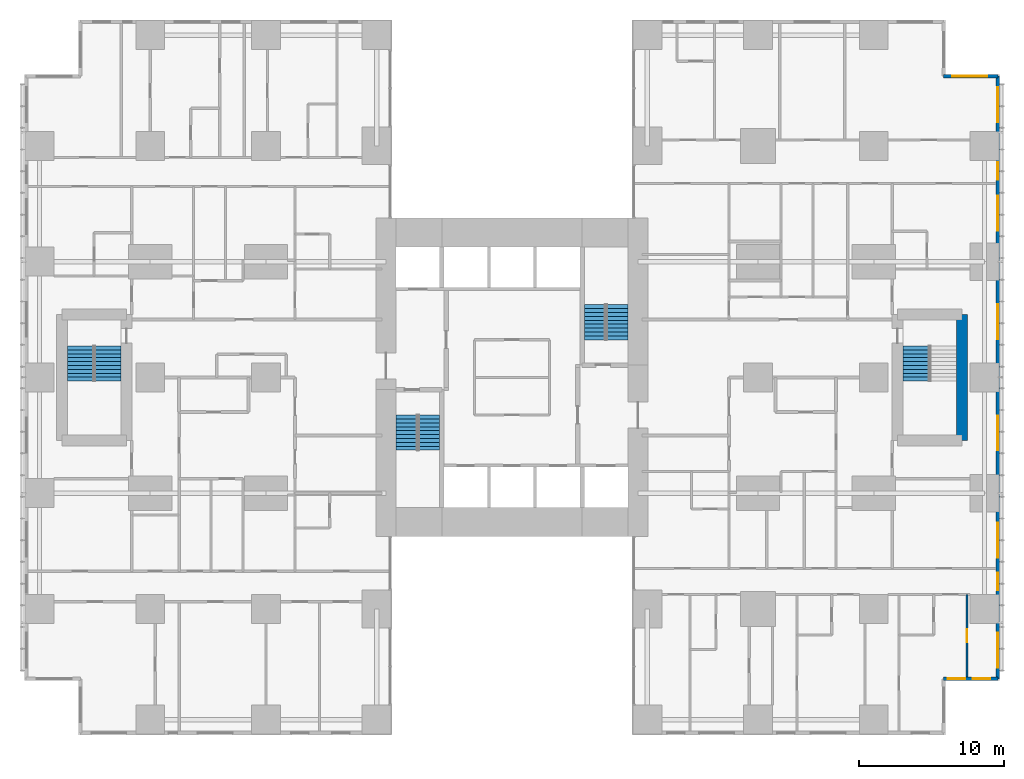
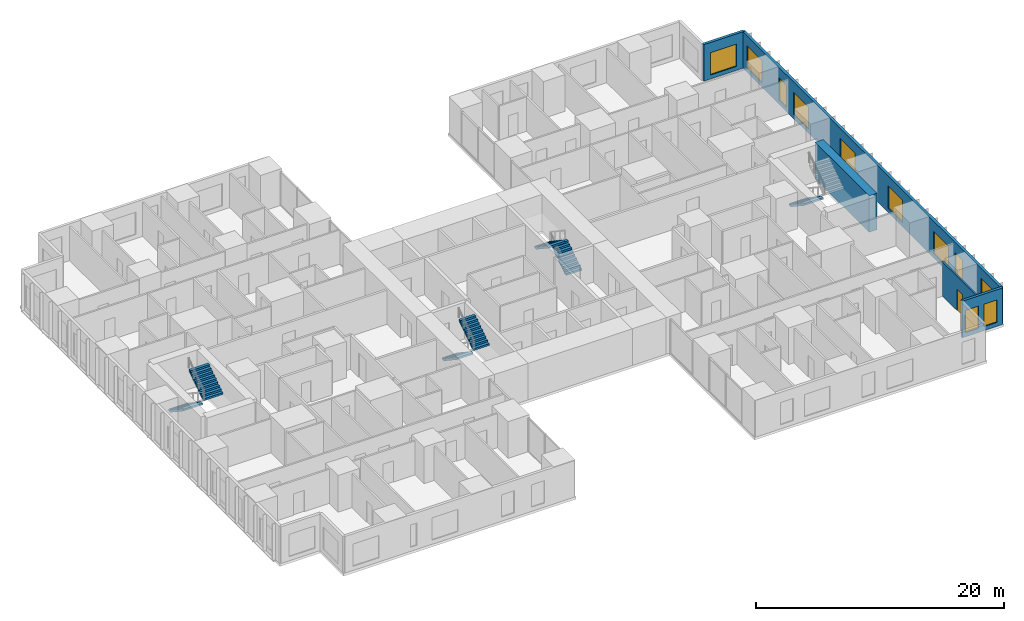
# One storey, part 19 of 21: 11 windows, 7 stair flights, 5 walls, 1 door, 12 openings, 4 elements without a shape of their own.
"""IFC4 building model written with IfcOpenShell, lengths in metres."""

import ifcopenshell
import ifcopenshell.guid

model = None  # the IFC model being written
_history = None  # IfcOwnerHistory: only IFC2X3 demands one
_inside = {}  # id of a spatial element -> (the spatial element, [elements in it])
_under = {}  # id of a project, library or spatial element -> (it, [spatial elements below it])
_declared = {}  # id of a project -> (the project, [libraries it declares])
_typed = {}  # id of a type object -> (the type object, [elements of that type])
_made_of = {}  # id of a material, layer set ... -> (it, [elements and type objects made of it])


def new_model(schema):
    """Start an empty IFC model of exactly this schema.

    Asked for "IFC4X3", IfcOpenShell would pick the latest addendum, in which some entities
    have other attributes; the version numbers below select the first issue.
    IFC2X3 requires an IfcOwnerHistory on every rooted entity: one is made here for all.
    """
    global model, _history
    if schema == "IFC4X3":
        model = ifcopenshell.file(schema_version=(4, 3, 0, 0))
    else:
        model = ifcopenshell.file(schema=schema)
    _inside.clear()
    _under.clear()
    _declared.clear()
    _typed.clear()
    _made_of.clear()
    _history = None
    if model.schema == "IFC2X3":
        org = make("IfcOrganization", Name="unknown")
        user = make(
            "IfcPersonAndOrganization",
            ThePerson=make("IfcPerson", FamilyName="unknown"),
            TheOrganization=org,
        )
        app = make(
            "IfcApplication",
            ApplicationDeveloper=org,
            Version="unknown",
            ApplicationFullName="unknown",
            ApplicationIdentifier="unknown",
        )
        _history = make(
            "IfcOwnerHistory",
            OwningUser=user,
            OwningApplication=app,
            ChangeAction="ADDED",
            CreationDate=0,
        )
    return model


def make(cls, **values):
    """One entity of the class cls with the attributes given. An attribute that is None is left unset."""
    return model.create_entity(
        cls, **{name: value for name, value in values.items() if value is not None}
    )


def rooted(cls, **values):
    """An entity with a GlobalId (a new one), such as an element, a storey or a relation."""
    return make(cls, GlobalId=ifcopenshell.guid.new(), OwnerHistory=_history, **values)


def si_unit(unit_type, name, prefix=None):
    """IfcSIUnit, for example si_unit("LENGTHUNIT", "METRE", prefix="MILLI")."""
    return make("IfcSIUnit", UnitType=unit_type, Prefix=prefix, Name=name)


def assignment(units):
    """IfcUnitAssignment: the units of a project."""
    return None if units is None else make("IfcUnitAssignment", Units=units)


def point(xyz):
    """IfcCartesianPoint."""
    return None if xyz is None else make("IfcCartesianPoint", Coordinates=xyz)


def direction(xyz):
    """IfcDirection."""
    return None if xyz is None else make("IfcDirection", DirectionRatios=xyz)


def frame(location, z_axis=None, x_axis=None):
    """IfcAxis2Placement3D, a coordinate frame: its origin and axes. An axis left out is left unset."""
    return make(
        "IfcAxis2Placement3D",
        Location=point(location),
        Axis=direction(z_axis),
        RefDirection=direction(x_axis),
    )


def frame_2d(location, x_axis=None):
    """IfcAxis2Placement2D, a coordinate frame in the plane: its origin and x axis."""
    return make(
        "IfcAxis2Placement2D", Location=point(location), RefDirection=direction(x_axis)
    )


def origin():
    """The frame at (0, 0, 0) with its axes left unset."""
    return frame((0.0, 0.0, 0.0))


def place(relative_to, where):
    """IfcLocalPlacement: puts the frame where relative to a parent placement (None: the world)."""
    return make(
        "IfcLocalPlacement", PlacementRelTo=relative_to, RelativePlacement=where
    )


def context(
    kind, dimensions, precision=None, world=None, true_north=None, identifier=None
):
    """IfcGeometricRepresentationContext, for example the 3D "Model" context."""
    return make(
        "IfcGeometricRepresentationContext",
        ContextIdentifier=identifier,
        ContextType=kind,
        CoordinateSpaceDimension=dimensions,
        Precision=precision,
        WorldCoordinateSystem=world,
        TrueNorth=true_north,
    )


def subcontext(parent, identifier, kind, view, scale=None):
    """IfcGeometricRepresentationSubContext, for example "Body" below "Model"."""
    return make(
        "IfcGeometricRepresentationSubContext",
        ContextIdentifier=identifier,
        ContextType=kind,
        ParentContext=parent,
        TargetScale=scale,
        TargetView=view,
    )


def project(units=None, contexts=None):
    """IfcProject with its units and contexts."""
    return rooted(
        "IfcProject",
        Name="project",
        RepresentationContexts=contexts,
        UnitsInContext=assignment(units),
    )


def spatial(cls, under=None, at=None, **own):
    """A site, building, storey or space (cls), placed at a placement, below another one or the project."""
    s = rooted(cls, ObjectPlacement=at, **own)
    if under is not None:
        _under.setdefault(under.id(), (under, []))[1].append(s)
    return s


def polyline(points):
    """IfcPolyline through the points."""
    return make("IfcPolyline", Points=[point(p) for p in points])


def profile(cls, at=None, kind="AREA", **sizes):
    """A parametric profile (cls). Its sizes go by their IFC names, for example OverallWidth=200.0."""
    return make(cls, ProfileType=kind, Position=at, **sizes)


def rectangle(**sizes):
    """IfcRectangleProfileDef."""
    return profile("IfcRectangleProfileDef", **sizes)


def outline(outer, holes=None, kind="AREA"):
    """IfcArbitraryClosedProfileDef: a profile drawn as a closed curve; with holes, ...WithVoids."""
    if holes is None:
        return make("IfcArbitraryClosedProfileDef", ProfileType=kind, OuterCurve=outer)
    return make(
        "IfcArbitraryProfileDefWithVoids",
        ProfileType=kind,
        OuterCurve=outer,
        InnerCurves=holes,
    )


def extrude(swept, where, along, depth):
    """IfcExtrudedAreaSolid: the profile swept, set in the frame where, extruded along a direction by depth."""
    return make(
        "IfcExtrudedAreaSolid",
        SweptArea=swept,
        Position=where,
        ExtrudedDirection=direction(along),
        Depth=depth,
    )


def shape(context_of_items, identifier, shape_type, items):
    """IfcShapeRepresentation: the items that make up one representation, for example the "Body"."""
    return make(
        "IfcShapeRepresentation",
        ContextOfItems=context_of_items,
        RepresentationIdentifier=identifier,
        RepresentationType=shape_type,
        Items=items,
    )


def material(Name=None, Category=None):
    """IfcMaterial."""
    return make("IfcMaterial", Name=Name, Category=Category)


def layer(
    of_material, thickness, ventilated=None, Name=None, Category=None, Priority=None
):
    """IfcMaterialLayer: one layer of a wall or slab, of a material (None: an air gap)."""
    return make(
        "IfcMaterialLayer",
        Material=of_material,
        LayerThickness=thickness,
        IsVentilated=ventilated,
        Name=Name,
        Category=Category,
        Priority=Priority,
    )


def layer_set(layers, Name=None):
    """IfcMaterialLayerSet."""
    return make("IfcMaterialLayerSet", MaterialLayers=layers, LayerSetName=Name)


def made_of(thing, what):
    """Note that an element or type object is made of a material, layer set ...; save() writes the relation."""
    if what is not None:
        _made_of.setdefault(what.id(), (what, []))[1].append(thing)
    return thing


def type_object(cls, material=None, **own):
    """A type object (cls), such as IfcWallType, which elements share."""
    return made_of(rooted(cls, **own), material)


def element(
    cls,
    number,
    at=None,
    inside=None,
    cuts=None,
    type_object=None,
    material=None,
    context=None,
    identifier="Body",
    shape_type=None,
    held_by="IfcProductDefinitionShape",
    body=None,
    shapes=None,
    **own,
):
    """One element of the class cls, such as IfcWall. Its Tag is "e" and its number.

    at: its placement. inside: the storey or other place that contains it. cuts: it is an
    opening in that element (IfcRelVoidsElement). A single representation is given by context,
    identifier, shape_type and body (its items); several are given by shapes. held_by: the class
    of the entity that holds the representations. save() writes the other relations.
    """
    e = rooted(cls, Tag="e%d" % number, ObjectPlacement=at, **own)
    if body is not None:
        shapes = [shape(context, identifier, shape_type, body)]
    if shapes is not None:
        e.Representation = make(held_by, Representations=shapes)
    if inside is not None:
        _inside.setdefault(inside.id(), (inside, []))[1].append(e)
    if cuts is not None:
        rooted(
            "IfcRelVoidsElement", RelatingBuildingElement=cuts, RelatedOpeningElement=e
        )
    if type_object is not None:
        _typed.setdefault(type_object.id(), (type_object, []))[1].append(e)
    return made_of(e, material)


def fill(opening, filler):
    """IfcRelFillsElement: the door or window that sits in an opening."""
    return rooted(
        "IfcRelFillsElement",
        RelatingOpeningElement=opening,
        RelatedBuildingElement=filler,
    )


def aggregate(whole, parts):
    """IfcRelAggregates: a whole, such as a stair, and the parts it consists of."""
    return rooted("IfcRelAggregates", RelatingObject=whole, RelatedObjects=parts)


def save(model, path):
    """Write the relations noted so far, then the file.

    IfcRelAggregates (storeys below a building ...), IfcRelContainedInSpatialStructure (elements
    in a storey), IfcRelDefinesByType, IfcRelAssociatesMaterial and IfcRelDeclares: one each for
    every whole, place, type object, material and project.
    """
    for whole, parts in _under.values():
        aggregate(whole, parts)
    for where, things in _inside.values():
        rooted(
            "IfcRelContainedInSpatialStructure",
            RelatedElements=things,
            RelatingStructure=where,
        )
    for kind, things in _typed.values():
        rooted("IfcRelDefinesByType", RelatedObjects=things, RelatingType=kind)
    for what, things in _made_of.values():
        rooted("IfcRelAssociatesMaterial", RelatedObjects=things, RelatingMaterial=what)
    for by, libraries in _declared.values():
        rooted("IfcRelDeclares", RelatingContext=by, RelatedDefinitions=libraries)
    model.write(path)


model = new_model("IFC4")

# Units and contexts
model_context = context("Model", 3, precision=1e-05, world=origin(), true_north=direction((0.0, 1.0)))
body_context = subcontext(model_context, "Body", "Model", "MODEL_VIEW")
ifc_project = project(units=[si_unit("LENGTHUNIT", "METRE"), si_unit("AREAUNIT", "SQUARE_METRE"), si_unit("VOLUMEUNIT", "CUBIC_METRE"), si_unit("PLANEANGLEUNIT", "RADIAN"), si_unit("MASSUNIT", "GRAM", prefix="KILO")], contexts=[model_context])

# Site, building, storey
site_placement = place(None, origin())
site = spatial("IfcSite", under=ifc_project, at=site_placement, CompositionType="ELEMENT")
building_placement = place(site_placement, origin())
building = spatial("IfcBuilding", under=site, at=building_placement, Name="Cleftline Residences", CompositionType="ELEMENT")
storey_placement = place(building_placement, frame((0.0, 0.0, 128.60009765625)))
storey = spatial("IfcBuildingStorey", under=building, at=storey_placement, Name="L33", CompositionType="ELEMENT", Elevation=128.60009765625)

# Wall, openings, windows
ifc_material_1 = material(Name="Rendered reinforced concrete blockwork", Category="masonry")
ifc_layer_1 = layer(ifc_material_1, 0.25)
ifc_layer_set_1 = layer_set([ifc_layer_1], Name="EXTERNAL WALL 250")
wall_type_1 = type_object("IfcWallType", Name="EXTERNAL WALL 250", PredefinedType="SOLIDWALL", material=ifc_layer_set_1)
wall_1_placement = place(storey_placement, frame((62.824951171875, 3.175048828125, 0.0), z_axis=(0.0, 0.0, 1.0), x_axis=(1.0, 0.0, 0.0)))
wall_1 = element("IfcWall", 1, at=wall_1_placement, inside=storey, type_object=wall_type_1, Name="External wall", PredefinedType="SOLIDWALL", context=body_context, shape_type="SweptSolid", body=[
    extrude(rectangle(XDim=3.75, YDim=0.25, at=frame_2d((1.875, 0.0))), origin(), (0.0, 0.0, 1.0), 3.599853515625),
])
opening_1_placement = place(wall_1_placement, frame((0.28759765625, 0.0, 0.39990234375)))
opening_1 = element("IfcOpeningElement", 2, at=opening_1_placement, cuts=wall_1, Name="Opening W11", PredefinedType="OPENING", context=body_context, shape_type="SweptSolid", body=[
    extrude(rectangle(XDim=1.199951171875, YDim=2.199951171875, at=frame_2d((0.60009765625, 1.10009765625))), frame((0.0, 0.135009765625, 0.0), z_axis=(0.0, -1.0, 0.0), x_axis=(1.0, 0.0, 0.0)), (0.0, 0.0, 1.0), 0.27001953125),
])
opening_2_placement = place(wall_1_placement, frame((2.02490234375, 0.0, 0.39990234375)))
opening_2 = element("IfcOpeningElement", 3, at=opening_2_placement, cuts=wall_1, Name="Opening W11", PredefinedType="OPENING", context=body_context, shape_type="SweptSolid", body=[
    extrude(rectangle(XDim=1.199951171875, YDim=2.199951171875, at=frame_2d((0.60009765625, 1.10009765625))), frame((0.0, 0.135009765625, 0.0), z_axis=(0.0, -1.0, 0.0), x_axis=(1.0, 0.0, 0.0)), (0.0, 0.0, 1.0), 0.27001953125),
])
ifc_material_2 = material(Name="Aluminium frame, clear double glazing", Category="aluminium")
window_type_1 = type_object("IfcWindowType", Name="WINDOW 1200X2200", PartitioningType="DOUBLE_PANEL_VERTICAL", PredefinedType="WINDOW", material=ifc_material_2)
window_1_placement = place(opening_1_placement, origin())
window_1 = element("IfcWindow", 4, at=window_1_placement, inside=storey, type_object=window_type_1, Name="Window", OverallHeight=2.199951171875, OverallWidth=1.199951171875, PartitioningType="SINGLE_PANEL", PredefinedType="WINDOW", context=body_context, shape_type="SweptSolid", body=[
    extrude(rectangle(XDim=1.199951171875, YDim=2.199951171875, at=frame_2d((0.60009765625, 1.10009765625))), frame((0.0, 0.030029296875, 0.0), z_axis=(0.0, -1.0, 0.0), x_axis=(1.0, 0.0, 0.0)), (0.0, 0.0, 1.0), 0.06005859375),
])
fill(opening_1, window_1)
window_2_placement = place(opening_2_placement, origin())
window_2 = element("IfcWindow", 5, at=window_2_placement, inside=storey, type_object=window_type_1, Name="Window", OverallHeight=2.199951171875, OverallWidth=1.199951171875, PartitioningType="SINGLE_PANEL", PredefinedType="WINDOW", context=body_context, shape_type="SweptSolid", body=[
    extrude(rectangle(XDim=1.199951171875, YDim=2.199951171875, at=frame_2d((0.60009765625, 1.10009765625))), frame((0.0, 0.030029296875, 0.0), z_axis=(0.0, -1.0, 0.0), x_axis=(1.0, 0.0, 0.0)), (0.0, 0.0, 1.0), 0.06005859375),
])
fill(opening_2, window_2)

wall_2_placement = place(storey_placement, frame((66.574951171875, 3.175048828125, 0.0), z_axis=(0.0, 0.0, 1.0), x_axis=(0.0, 1.0, 0.0)))
wall_2 = element("IfcWall", 6, at=wall_2_placement, inside=storey, type_object=wall_type_1, Name="External wall", PredefinedType="SOLIDWALL", context=body_context, shape_type="SweptSolid", body=[
    extrude(rectangle(XDim=41.64990234375, YDim=0.25, at=frame_2d((20.824951171875, 0.0))), origin(), (0.0, 0.0, 1.0), 3.599853515625),
])
opening_3_placement = place(wall_2_placement, frame((0.77490234375, 0.0, 0.39990234375)))
opening_3 = element("IfcOpeningElement", 7, at=opening_3_placement, cuts=wall_2, Name="Opening W12", PredefinedType="OPENING", context=body_context, shape_type="SweptSolid", body=[
    extrude(rectangle(XDim=2.39990234375, YDim=2.199951171875, at=frame_2d((1.199951171875, 1.10009765625))), frame((0.0, 0.135009765625, 0.0), z_axis=(0.0, -1.0, 0.0), x_axis=(1.0, 0.0, 0.0)), (0.0, 0.0, 1.0), 0.27001953125),
])
opening_4_placement = place(wall_2_placement, frame((6.125, 0.0, 0.39990234375)))
opening_4 = element("IfcOpeningElement", 8, at=opening_4_placement, cuts=wall_2, Name="Opening W11", PredefinedType="OPENING", context=body_context, shape_type="SweptSolid", body=[
    extrude(rectangle(XDim=1.199951171875, YDim=2.199951171875, at=frame_2d((0.60009765625, 1.10009765625))), frame((0.0, 0.135009765625, 0.0), z_axis=(0.0, -1.0, 0.0), x_axis=(1.0, 0.0, 0.0)), (0.0, 0.0, 1.0), 0.27001953125),
])
opening_5_placement = place(wall_2_placement, frame((8.375, 0.0, 0.39990234375)))
opening_5 = element("IfcOpeningElement", 9, at=opening_5_placement, cuts=wall_2, Name="Opening W12", PredefinedType="OPENING", context=body_context, shape_type="SweptSolid", body=[
    extrude(rectangle(XDim=2.39990234375, YDim=2.199951171875, at=frame_2d((1.199951171875, 1.10009765625))), frame((0.0, 0.135009765625, 0.0), z_axis=(0.0, -1.0, 0.0), x_axis=(1.0, 0.0, 0.0)), (0.0, 0.0, 1.0), 0.27001953125),
])
opening_6_placement = place(wall_2_placement, frame((15.77490234375, 0.0, 0.39990234375)))
opening_6 = element("IfcOpeningElement", 10, at=opening_6_placement, cuts=wall_2, Name="Opening W12", PredefinedType="OPENING", context=body_context, shape_type="SweptSolid", body=[
    extrude(rectangle(XDim=2.39990234375, YDim=2.199951171875, at=frame_2d((1.199951171875, 1.10009765625))), frame((0.0, 0.135009765625, 0.0), z_axis=(0.0, -1.0, 0.0), x_axis=(1.0, 0.0, 0.0)), (0.0, 0.0, 1.0), 0.27001953125),
])
opening_7_placement = place(wall_2_placement, frame((23.47509765625, 0.0, 0.39990234375)))
opening_7 = element("IfcOpeningElement", 11, at=opening_7_placement, cuts=wall_2, Name="Opening W12", PredefinedType="OPENING", context=body_context, shape_type="SweptSolid", body=[
    extrude(rectangle(XDim=2.39990234375, YDim=2.199951171875, at=frame_2d((1.199951171875, 1.10009765625))), frame((0.0, 0.135009765625, 0.0), z_axis=(0.0, -1.0, 0.0), x_axis=(1.0, 0.0, 0.0)), (0.0, 0.0, 1.0), 0.27001953125),
])
opening_8_placement = place(wall_2_placement, frame((30.97509765625, 0.0, 0.39990234375)))
opening_8 = element("IfcOpeningElement", 12, at=opening_8_placement, cuts=wall_2, Name="Opening W12", PredefinedType="OPENING", context=body_context, shape_type="SweptSolid", body=[
    extrude(rectangle(XDim=2.39990234375, YDim=2.199951171875, at=frame_2d((1.199951171875, 1.10009765625))), frame((0.0, 0.135009765625, 0.0), z_axis=(0.0, -1.0, 0.0), x_axis=(1.0, 0.0, 0.0)), (0.0, 0.0, 1.0), 0.27001953125),
])
opening_9_placement = place(wall_2_placement, frame((34.5, 0.0, 0.39990234375)))
opening_9 = element("IfcOpeningElement", 13, at=opening_9_placement, cuts=wall_2, Name="Opening W11", PredefinedType="OPENING", context=body_context, shape_type="SweptSolid", body=[
    extrude(rectangle(XDim=1.199951171875, YDim=2.199951171875, at=frame_2d((0.60009765625, 1.10009765625))), frame((0.0, 0.135009765625, 0.0), z_axis=(0.0, -1.0, 0.0), x_axis=(1.0, 0.0, 0.0)), (0.0, 0.0, 1.0), 0.27001953125),
])
opening_10_placement = place(wall_2_placement, frame((38.47509765625, 0.0, 0.39990234375)))
opening_10 = element("IfcOpeningElement", 14, at=opening_10_placement, cuts=wall_2, Name="Opening W12", PredefinedType="OPENING", context=body_context, shape_type="SweptSolid", body=[
    extrude(rectangle(XDim=2.39990234375, YDim=2.199951171875, at=frame_2d((1.199951171875, 1.10009765625))), frame((0.0, 0.135009765625, 0.0), z_axis=(0.0, -1.0, 0.0), x_axis=(1.0, 0.0, 0.0)), (0.0, 0.0, 1.0), 0.27001953125),
])
window_3_placement = place(opening_4_placement, origin())
window_3 = element("IfcWindow", 15, at=window_3_placement, inside=storey, type_object=window_type_1, Name="Window", OverallHeight=2.199951171875, OverallWidth=1.199951171875, PartitioningType="SINGLE_PANEL", PredefinedType="WINDOW", context=body_context, shape_type="SweptSolid", body=[
    extrude(rectangle(XDim=1.199951171875, YDim=2.199951171875, at=frame_2d((0.60009765625, 1.10009765625))), frame((0.0, 0.030029296875, 0.0), z_axis=(0.0, -1.0, 0.0), x_axis=(1.0, 0.0, 0.0)), (0.0, 0.0, 1.0), 0.06005859375),
])
fill(opening_4, window_3)
window_4_placement = place(opening_9_placement, origin())
window_4 = element("IfcWindow", 16, at=window_4_placement, inside=storey, type_object=window_type_1, Name="Window", OverallHeight=2.199951171875, OverallWidth=1.199951171875, PartitioningType="SINGLE_PANEL", PredefinedType="WINDOW", context=body_context, shape_type="SweptSolid", body=[
    extrude(rectangle(XDim=1.199951171875, YDim=2.199951171875, at=frame_2d((0.60009765625, 1.10009765625))), frame((0.0, 0.030029296875, 0.0), z_axis=(0.0, -1.0, 0.0), x_axis=(1.0, 0.0, 0.0)), (0.0, 0.0, 1.0), 0.06005859375),
])
fill(opening_9, window_4)
ifc_material_3 = material(Name="Aluminium frame, clear double glazing", Category="aluminium")
window_type_2 = type_object("IfcWindowType", Name="WINDOW 2400X2200", PartitioningType="DOUBLE_PANEL_VERTICAL", PredefinedType="WINDOW", material=ifc_material_3)
window_5_placement = place(opening_3_placement, origin())
window_5 = element("IfcWindow", 17, at=window_5_placement, inside=storey, type_object=window_type_2, Name="Window", OverallHeight=2.199951171875, OverallWidth=2.39990234375, PartitioningType="SINGLE_PANEL", PredefinedType="WINDOW", context=body_context, shape_type="SweptSolid", body=[
    extrude(rectangle(XDim=2.39990234375, YDim=2.199951171875, at=frame_2d((1.199951171875, 1.10009765625))), frame((0.0, 0.030029296875, 0.0), z_axis=(0.0, -1.0, 0.0), x_axis=(1.0, 0.0, 0.0)), (0.0, 0.0, 1.0), 0.06005859375),
])
fill(opening_3, window_5)
window_6_placement = place(opening_5_placement, origin())
window_6 = element("IfcWindow", 18, at=window_6_placement, inside=storey, type_object=window_type_2, Name="Window", OverallHeight=2.199951171875, OverallWidth=2.39990234375, PartitioningType="SINGLE_PANEL", PredefinedType="WINDOW", context=body_context, shape_type="SweptSolid", body=[
    extrude(rectangle(XDim=2.39990234375, YDim=2.199951171875, at=frame_2d((1.199951171875, 1.10009765625))), frame((0.0, 0.030029296875, 0.0), z_axis=(0.0, -1.0, 0.0), x_axis=(1.0, 0.0, 0.0)), (0.0, 0.0, 1.0), 0.06005859375),
])
fill(opening_5, window_6)
window_7_placement = place(opening_6_placement, origin())
window_7 = element("IfcWindow", 19, at=window_7_placement, inside=storey, type_object=window_type_2, Name="Window", OverallHeight=2.199951171875, OverallWidth=2.39990234375, PartitioningType="SINGLE_PANEL", PredefinedType="WINDOW", context=body_context, shape_type="SweptSolid", body=[
    extrude(rectangle(XDim=2.39990234375, YDim=2.199951171875, at=frame_2d((1.199951171875, 1.10009765625))), frame((0.0, 0.030029296875, 0.0), z_axis=(0.0, -1.0, 0.0), x_axis=(1.0, 0.0, 0.0)), (0.0, 0.0, 1.0), 0.06005859375),
])
fill(opening_6, window_7)
window_8_placement = place(opening_7_placement, origin())
window_8 = element("IfcWindow", 20, at=window_8_placement, inside=storey, type_object=window_type_2, Name="Window", OverallHeight=2.199951171875, OverallWidth=2.39990234375, PartitioningType="SINGLE_PANEL", PredefinedType="WINDOW", context=body_context, shape_type="SweptSolid", body=[
    extrude(rectangle(XDim=2.39990234375, YDim=2.199951171875, at=frame_2d((1.199951171875, 1.10009765625))), frame((0.0, 0.030029296875, 0.0), z_axis=(0.0, -1.0, 0.0), x_axis=(1.0, 0.0, 0.0)), (0.0, 0.0, 1.0), 0.06005859375),
])
fill(opening_7, window_8)
window_9_placement = place(opening_8_placement, origin())
window_9 = element("IfcWindow", 21, at=window_9_placement, inside=storey, type_object=window_type_2, Name="Window", OverallHeight=2.199951171875, OverallWidth=2.39990234375, PartitioningType="SINGLE_PANEL", PredefinedType="WINDOW", context=body_context, shape_type="SweptSolid", body=[
    extrude(rectangle(XDim=2.39990234375, YDim=2.199951171875, at=frame_2d((1.199951171875, 1.10009765625))), frame((0.0, 0.030029296875, 0.0), z_axis=(0.0, -1.0, 0.0), x_axis=(1.0, 0.0, 0.0)), (0.0, 0.0, 1.0), 0.06005859375),
])
fill(opening_8, window_9)
window_10_placement = place(opening_10_placement, origin())
window_10 = element("IfcWindow", 22, at=window_10_placement, inside=storey, type_object=window_type_2, Name="Window", OverallHeight=2.199951171875, OverallWidth=2.39990234375, PartitioningType="SINGLE_PANEL", PredefinedType="WINDOW", context=body_context, shape_type="SweptSolid", body=[
    extrude(rectangle(XDim=2.39990234375, YDim=2.199951171875, at=frame_2d((1.199951171875, 1.10009765625))), frame((0.0, 0.030029296875, 0.0), z_axis=(0.0, -1.0, 0.0), x_axis=(1.0, 0.0, 0.0)), (0.0, 0.0, 1.0), 0.06005859375),
])
fill(opening_10, window_10)

# Wall, opening, window
wall_3_placement = place(storey_placement, frame((66.574951171875, 44.824951171875, 0.0), z_axis=(0.0, 0.0, 1.0), x_axis=(-1.0, 0.0, 0.0)))
wall_3 = element("IfcWall", 23, at=wall_3_placement, inside=storey, type_object=wall_type_1, Name="External wall", PredefinedType="SOLIDWALL", context=body_context, shape_type="SweptSolid", body=[
    extrude(rectangle(XDim=3.75, YDim=0.25, at=frame_2d((1.875, 0.0))), origin(), (0.0, 0.0, 1.0), 3.599853515625),
])
opening_11_placement = place(wall_3_placement, frame((0.737548828125, 0.0, 0.39990234375)))
opening_11 = element("IfcOpeningElement", 24, at=opening_11_placement, cuts=wall_3, Name="Opening W12", PredefinedType="OPENING", context=body_context, shape_type="SweptSolid", body=[
    extrude(rectangle(XDim=2.39990234375, YDim=2.199951171875, at=frame_2d((1.199951171875, 1.10009765625))), frame((0.0, 0.135009765625, 0.0), z_axis=(0.0, -1.0, 0.0), x_axis=(1.0, 0.0, 0.0)), (0.0, 0.0, 1.0), 0.27001953125),
])
window_11_placement = place(opening_11_placement, origin())
window_11 = element("IfcWindow", 25, at=window_11_placement, inside=storey, type_object=window_type_2, Name="Window", OverallHeight=2.199951171875, OverallWidth=2.39990234375, PartitioningType="SINGLE_PANEL", PredefinedType="WINDOW", context=body_context, shape_type="SweptSolid", body=[
    extrude(rectangle(XDim=2.39990234375, YDim=2.199951171875, at=frame_2d((1.199951171875, 1.10009765625))), frame((0.0, 0.030029296875, 0.0), z_axis=(0.0, -1.0, 0.0), x_axis=(1.0, 0.0, 0.0)), (0.0, 0.0, 1.0), 0.06005859375),
])
fill(opening_11, window_11)

# Wall, opening, door
ifc_material_4 = material(Name="Gypsum board on steel studs", Category="steel")
ifc_layer_2 = layer(ifc_material_4, 0.14990234375)
ifc_layer_set_2 = layer_set([ifc_layer_2], Name="PARTITION 150")
wall_type_2 = type_object("IfcWallType", Name="PARTITION 150", PredefinedType="PARTITIONING", material=ifc_layer_set_2)
wall_4_placement = place(storey_placement, frame((64.449951171875, 3.300048828125, 0.0), z_axis=(0.0, 0.0, 1.0), x_axis=(0.0, 1.0, 0.0)))
wall_4 = element("IfcWall", 26, at=wall_4_placement, inside=storey, type_object=wall_type_2, Name="Partition", PredefinedType="PARTITIONING", context=body_context, shape_type="SweptSolid", body=[
    extrude(rectangle(XDim=5.699951171875, YDim=0.14990234375, at=frame_2d((2.85009765625, 0.0))), origin(), (0.0, 0.0, 1.0), 3.349853515625),
])
opening_12_placement = place(wall_4_placement, frame((2.39990234375, 0.0, 0.0)))
opening_12 = element("IfcOpeningElement", 27, at=opening_12_placement, cuts=wall_4, Name="Opening D1", PredefinedType="OPENING", context=body_context, shape_type="SweptSolid", body=[
    extrude(rectangle(XDim=0.89990234375, YDim=2.10009765625, at=frame_2d((0.449951171875, 1.050048828125))), frame((0.0, 0.0849609375, 0.0), z_axis=(0.0, -1.0, 0.0), x_axis=(1.0, 0.0, 0.0)), (0.0, 0.0, 1.0), 0.169921875),
])
ifc_material_5 = material(Name="Timber veneer on solid core", Category="wood")
door_type = type_object("IfcDoorType", Name="DOOR 900X2100", OperationType="SINGLE_SWING_LEFT", PredefinedType="DOOR", material=ifc_material_5)
door_placement = place(opening_12_placement, origin())
door = element("IfcDoor", 28, at=door_placement, inside=storey, type_object=door_type, Name="Door to walk-in wardrobe", OperationType="SINGLE_SWING_LEFT", OverallHeight=2.10009765625, OverallWidth=0.89990234375, PredefinedType="DOOR", context=body_context, shape_type="SweptSolid", body=[
    extrude(rectangle(XDim=0.89990234375, YDim=2.10009765625, at=frame_2d((0.449951171875, 1.050048828125))), frame((0.0, 0.02490234375, 0.0), z_axis=(0.0, -1.0, 0.0), x_axis=(1.0, 0.0, 0.0)), (0.0, 0.0, 1.0), 0.050048828125),
])
fill(opening_12, door)

# Wall
ifc_material_6 = material(Name="Concrete B70", Category="concrete")
ifc_layer_3 = layer(ifc_material_6, 0.75)
ifc_layer_set_3 = layer_set([ifc_layer_3], Name="SHEAR WALL 750")
wall_type_3 = type_object("IfcWallType", Name="SHEAR WALL 750", PredefinedType="SHEAR", material=ifc_layer_set_3)
wall_5_placement = place(storey_placement, frame((64.10009765625, 19.64990234375, 0.0), z_axis=(0.0, 0.0, 1.0), x_axis=(0.0, 1.0, 0.0)))
element("IfcWall", 29, at=wall_5_placement, inside=storey, type_object=wall_type_3, Name="Wing shear wall", PredefinedType="SHEAR", context=body_context, shape_type="SweptSolid", body=[
    extrude(rectangle(XDim=8.7001953125, YDim=0.75, at=frame_2d((4.35009765625, 0.0))), origin(), (0.0, 0.0, 1.0), 3.599853515625),
])

# Stair, stair flights
ifc_material_7 = material(Name="Concrete B45, stone treads", Category="masonry")
stair_type_1 = type_object("IfcStairType", Name="STAIR A 1450 WIDE 180 RISER", PredefinedType="HALF_TURN_STAIR", material=ifc_material_7)
stair_1_placement = place(storey_placement, origin())
stair_1 = element("IfcStair", 30, at=stair_1_placement, inside=storey, type_object=stair_type_1, Name="Stair A L33", PredefinedType="HALF_TURN_STAIR")
ifc_material_8 = material(Name="Concrete B45", Category="concrete")
stair_flight_type_1 = type_object("IfcStairFlightType", Name="STAIR A FLIGHT 1450X180", PredefinedType="STRAIGHT", material=ifc_material_8)
stair_flight_1_placement = place(storey_placement, frame((25.72509765625, 21.39990234375, 0.0), z_axis=(0.0, 0.0, 1.0), x_axis=(0.0, -1.0, 0.0)))
stair_flight_1 = element("IfcStairFlight", 31, at=stair_flight_1_placement, type_object=stair_flight_type_1, Name="ST-A flight 1", NumberOfRisers=10, NumberOfTreads=9, PredefinedType="STRAIGHT", RiserHeight=0.18, TreadLength=0.27, context=body_context, shape_type="SweptSolid", body=[
    extrude(outline(polyline([(0.0, 0.0), (0.0, 0.013916015625), (0.0, 0.027587890625), (0.0, 0.04150390625), (0.0, 0.055419921875), (0.0, 0.0693359375), (0.0, 0.0830078125), (0.0, 0.096923828125), (0.0, 0.11083984375), (0.0, 0.12451171875), (0.0, 0.138427734375), (0.0, 0.15234375), (0.0, 0.166259765625), (0.0, 0.179931640625), (0.27001953125, 0.179931640625), (0.27001953125, 0.360107421875), (0.5400390625, 0.360107421875), (0.5400390625, 0.5400390625), (0.81005859375, 0.5400390625), (0.81005859375, 0.719970703125), (1.080078125, 0.719970703125), (1.080078125, 0.89990234375), (1.35009765625, 0.89990234375), (1.35009765625, 1.080078125), (1.6201171875, 1.080078125), (1.6201171875, 1.260009765625), (1.889892578125, 1.260009765625), (1.889892578125, 1.43994140625), (2.159912109375, 1.43994140625), (2.159912109375, 1.6201171875), (2.429931640625, 1.6201171875), (2.429931640625, 1.800048828125), (2.429931640625, 1.772216796875), (2.429931640625, 1.74462890625), (2.429931640625, 1.716796875), (2.429931640625, 1.689208984375), (2.429931640625, 1.661376953125), (2.429931640625, 1.6337890625), (2.429931640625, 1.60595703125), (2.429931640625, 1.578369140625), (2.429931640625, 1.550537109375), (2.429931640625, 1.52294921875), (2.429931640625, 1.495361328125), (2.429931640625, 1.467529296875), (2.429931640625, 1.43994140625), (0.270263671875, 0.0), (0.0, 0.0)])), frame((0.0, 0.72509765625, 0.0), z_axis=(0.0, -1.0, 0.0), x_axis=(1.0, 0.0, 0.0)), (0.0, 0.0, 1.0), 1.449951171875),
])
stair_flight_2_placement = place(storey_placement, frame((27.27490234375, 18.969970703125, 1.7998046875), z_axis=(0.0, 0.0, 1.0), x_axis=(0.0, 1.0, 0.0)))
stair_flight_2 = element("IfcStairFlight", 32, at=stair_flight_2_placement, type_object=stair_flight_type_1, Name="ST-A flight 2", NumberOfRisers=10, NumberOfTreads=9, PredefinedType="STRAIGHT", RiserHeight=0.18, TreadLength=0.27, context=body_context, shape_type="SweptSolid", body=[
    extrude(outline(polyline([(0.0, 0.0), (0.0, 0.013916015625), (0.0, 0.027587890625), (0.0, 0.04150390625), (0.0, 0.055419921875), (0.0, 0.0693359375), (0.0, 0.0830078125), (0.0, 0.096923828125), (0.0, 0.11083984375), (0.0, 0.12451171875), (0.0, 0.138427734375), (0.0, 0.15234375), (0.0, 0.166259765625), (0.0, 0.179931640625), (0.27001953125, 0.179931640625), (0.27001953125, 0.360107421875), (0.5400390625, 0.360107421875), (0.5400390625, 0.5400390625), (0.81005859375, 0.5400390625), (0.81005859375, 0.719970703125), (1.080078125, 0.719970703125), (1.080078125, 0.89990234375), (1.35009765625, 0.89990234375), (1.35009765625, 1.080078125), (1.6201171875, 1.080078125), (1.6201171875, 1.260009765625), (1.889892578125, 1.260009765625), (1.889892578125, 1.43994140625), (2.159912109375, 1.43994140625), (2.159912109375, 1.6201171875), (2.429931640625, 1.6201171875), (2.429931640625, 1.800048828125), (2.429931640625, 1.772216796875), (2.429931640625, 1.74462890625), (2.429931640625, 1.716796875), (2.429931640625, 1.689208984375), (2.429931640625, 1.661376953125), (2.429931640625, 1.6337890625), (2.429931640625, 1.60595703125), (2.429931640625, 1.578369140625), (2.429931640625, 1.550537109375), (2.429931640625, 1.52294921875), (2.429931640625, 1.495361328125), (2.429931640625, 1.467529296875), (2.429931640625, 1.43994140625), (0.270263671875, 0.0), (0.0, 0.0)])), frame((0.0, 0.72509765625, 0.0), z_axis=(0.0, -1.0, 0.0), x_axis=(1.0, 0.0, 0.0)), (0.0, 0.0, 1.0), 1.449951171875),
])
aggregate(stair_1, [stair_flight_1, stair_flight_2])

ifc_material_9 = material(Name="Concrete B45, stone treads", Category="masonry")
stair_type_2 = type_object("IfcStairType", Name="STAIR B 1450 WIDE 180 RISER", PredefinedType="HALF_TURN_STAIR", material=ifc_material_9)
stair_2_placement = place(storey_placement, origin())
stair_2 = element("IfcStair", 33, at=stair_2_placement, inside=storey, type_object=stair_type_2, Name="Stair B L33", PredefinedType="HALF_TURN_STAIR")
ifc_material_10 = material(Name="Concrete B45", Category="concrete")
stair_flight_type_2 = type_object("IfcStairFlightType", Name="STAIR B FLIGHT 1450X180", PredefinedType="STRAIGHT", material=ifc_material_10)
stair_flight_3_placement = place(storey_placement, frame((40.27490234375, 26.60009765625, 0.0), z_axis=(0.0, 0.0, 1.0), x_axis=(0.0, 1.0, 0.0)))
stair_flight_3 = element("IfcStairFlight", 34, at=stair_flight_3_placement, type_object=stair_flight_type_2, Name="ST-B flight 1", NumberOfRisers=10, NumberOfTreads=9, PredefinedType="STRAIGHT", RiserHeight=0.18, TreadLength=0.27, context=body_context, shape_type="SweptSolid", body=[
    extrude(outline(polyline([(0.0, 0.0), (0.0, 0.013916015625), (0.0, 0.027587890625), (0.0, 0.04150390625), (0.0, 0.055419921875), (0.0, 0.0693359375), (0.0, 0.0830078125), (0.0, 0.096923828125), (0.0, 0.11083984375), (0.0, 0.12451171875), (0.0, 0.138427734375), (0.0, 0.15234375), (0.0, 0.166259765625), (0.0, 0.179931640625), (0.27001953125, 0.179931640625), (0.27001953125, 0.360107421875), (0.5400390625, 0.360107421875), (0.5400390625, 0.5400390625), (0.81005859375, 0.5400390625), (0.81005859375, 0.719970703125), (1.080078125, 0.719970703125), (1.080078125, 0.89990234375), (1.35009765625, 0.89990234375), (1.35009765625, 1.080078125), (1.6201171875, 1.080078125), (1.6201171875, 1.260009765625), (1.889892578125, 1.260009765625), (1.889892578125, 1.43994140625), (2.159912109375, 1.43994140625), (2.159912109375, 1.6201171875), (2.429931640625, 1.6201171875), (2.429931640625, 1.800048828125), (2.429931640625, 1.772216796875), (2.429931640625, 1.74462890625), (2.429931640625, 1.716796875), (2.429931640625, 1.689208984375), (2.429931640625, 1.661376953125), (2.429931640625, 1.6337890625), (2.429931640625, 1.60595703125), (2.429931640625, 1.578369140625), (2.429931640625, 1.550537109375), (2.429931640625, 1.52294921875), (2.429931640625, 1.495361328125), (2.429931640625, 1.467529296875), (2.429931640625, 1.43994140625), (0.270263671875, 0.0), (0.0, 0.0)])), frame((0.0, 0.72509765625, 0.0), z_axis=(0.0, -1.0, 0.0), x_axis=(1.0, 0.0, 0.0)), (0.0, 0.0, 1.0), 1.449951171875),
])
stair_flight_4_placement = place(storey_placement, frame((38.72509765625, 29.030029296875, 1.7998046875), z_axis=(0.0, 0.0, 1.0), x_axis=(0.0, -1.0, 0.0)))
stair_flight_4 = element("IfcStairFlight", 35, at=stair_flight_4_placement, type_object=stair_flight_type_2, Name="ST-B flight 2", NumberOfRisers=10, NumberOfTreads=9, PredefinedType="STRAIGHT", RiserHeight=0.18, TreadLength=0.27, context=body_context, shape_type="SweptSolid", body=[
    extrude(outline(polyline([(0.0, 0.0), (0.0, 0.013916015625), (0.0, 0.027587890625), (0.0, 0.04150390625), (0.0, 0.055419921875), (0.0, 0.0693359375), (0.0, 0.0830078125), (0.0, 0.096923828125), (0.0, 0.11083984375), (0.0, 0.12451171875), (0.0, 0.138427734375), (0.0, 0.15234375), (0.0, 0.166259765625), (0.0, 0.179931640625), (0.27001953125, 0.179931640625), (0.27001953125, 0.360107421875), (0.5400390625, 0.360107421875), (0.5400390625, 0.5400390625), (0.81005859375, 0.5400390625), (0.81005859375, 0.719970703125), (1.080078125, 0.719970703125), (1.080078125, 0.89990234375), (1.35009765625, 0.89990234375), (1.35009765625, 1.080078125), (1.6201171875, 1.080078125), (1.6201171875, 1.260009765625), (1.889892578125, 1.260009765625), (1.889892578125, 1.43994140625), (2.159912109375, 1.43994140625), (2.159912109375, 1.6201171875), (2.429931640625, 1.6201171875), (2.429931640625, 1.800048828125), (2.429931640625, 1.772216796875), (2.429931640625, 1.74462890625), (2.429931640625, 1.716796875), (2.429931640625, 1.689208984375), (2.429931640625, 1.661376953125), (2.429931640625, 1.6337890625), (2.429931640625, 1.60595703125), (2.429931640625, 1.578369140625), (2.429931640625, 1.550537109375), (2.429931640625, 1.52294921875), (2.429931640625, 1.495361328125), (2.429931640625, 1.467529296875), (2.429931640625, 1.43994140625), (0.270263671875, 0.0), (0.0, 0.0)])), frame((0.0, 0.72509765625, 0.0), z_axis=(0.0, -1.0, 0.0), x_axis=(1.0, 0.0, 0.0)), (0.0, 0.0, 1.0), 1.449951171875),
])
aggregate(stair_2, [stair_flight_3, stair_flight_4])

# Stair, stair flight
ifc_material_11 = material(Name="Concrete B45, stone treads", Category="masonry")
stair_type_3 = type_object("IfcStairType", Name="STAIR E 1800 WIDE 180 RISER", PredefinedType="HALF_TURN_STAIR", material=ifc_material_11)
stair_3_placement = place(storey_placement, origin())
stair_3 = element("IfcStair", 36, at=stair_3_placement, inside=storey, type_object=stair_type_3, Name="Stair E L33", PredefinedType="HALF_TURN_STAIR")
ifc_material_12 = material(Name="Concrete B45", Category="concrete")
stair_flight_type_3 = type_object("IfcStairFlightType", Name="STAIR E FLIGHT 1800X180", PredefinedType="STRAIGHT", material=ifc_material_12)
stair_flight_5_placement = place(storey_placement, frame((60.925048828125, 26.175048828125, 0.0), z_axis=(0.0, 0.0, 1.0), x_axis=(0.0, -1.0, 0.0)))
stair_flight_5 = element("IfcStairFlight", 37, at=stair_flight_5_placement, type_object=stair_flight_type_3, Name="ST-E flight 1", NumberOfRisers=10, NumberOfTreads=9, PredefinedType="STRAIGHT", RiserHeight=0.18, TreadLength=0.27, context=body_context, shape_type="SweptSolid", body=[
    extrude(outline(polyline([(0.0, 0.0), (0.0, 0.013916015625), (0.0, 0.027587890625), (0.0, 0.04150390625), (0.0, 0.055419921875), (0.0, 0.0693359375), (0.0, 0.0830078125), (0.0, 0.096923828125), (0.0, 0.11083984375), (0.0, 0.12451171875), (0.0, 0.138427734375), (0.0, 0.15234375), (0.0, 0.166259765625), (0.0, 0.179931640625), (0.27001953125, 0.179931640625), (0.27001953125, 0.360107421875), (0.5400390625, 0.360107421875), (0.5400390625, 0.5400390625), (0.81005859375, 0.5400390625), (0.81005859375, 0.719970703125), (1.080078125, 0.719970703125), (1.080078125, 0.89990234375), (1.35009765625, 0.89990234375), (1.35009765625, 1.080078125), (1.6201171875, 1.080078125), (1.6201171875, 1.260009765625), (1.889892578125, 1.260009765625), (1.889892578125, 1.43994140625), (2.159912109375, 1.43994140625), (2.159912109375, 1.6201171875), (2.429931640625, 1.6201171875), (2.429931640625, 1.800048828125), (2.429931640625, 1.772216796875), (2.429931640625, 1.74462890625), (2.429931640625, 1.716796875), (2.429931640625, 1.689208984375), (2.429931640625, 1.661376953125), (2.429931640625, 1.6337890625), (2.429931640625, 1.60595703125), (2.429931640625, 1.578369140625), (2.429931640625, 1.550537109375), (2.429931640625, 1.52294921875), (2.429931640625, 1.495361328125), (2.429931640625, 1.467529296875), (2.429931640625, 1.43994140625), (0.270263671875, 0.0), (0.0, 0.0)])), frame((0.0, 0.89990234375, 0.0), z_axis=(0.0, -1.0, 0.0), x_axis=(1.0, 0.0, 0.0)), (0.0, 0.0, 1.0), 1.800048828125),
])
aggregate(stair_3, [stair_flight_5])

# Stair, stair flights
ifc_material_13 = material(Name="Concrete B45, stone treads", Category="masonry")
stair_type_4 = type_object("IfcStairType", Name="STAIR W 1800 WIDE 180 RISER", PredefinedType="HALF_TURN_STAIR", material=ifc_material_13)
stair_4_placement = place(storey_placement, origin())
stair_4 = element("IfcStair", 38, at=stair_4_placement, inside=storey, type_object=stair_type_4, Name="Stair W L33", PredefinedType="HALF_TURN_STAIR")
ifc_material_14 = material(Name="Concrete B45", Category="concrete")
stair_flight_type_4 = type_object("IfcStairFlightType", Name="STAIR W FLIGHT 1800X180", PredefinedType="STRAIGHT", material=ifc_material_14)
stair_flight_6_placement = place(storey_placement, frame((3.175048828125, 26.175048828125, 0.0), z_axis=(0.0, 0.0, 1.0), x_axis=(0.0, -1.0, 0.0)))
stair_flight_6 = element("IfcStairFlight", 39, at=stair_flight_6_placement, type_object=stair_flight_type_4, Name="ST-W flight 1", NumberOfRisers=10, NumberOfTreads=9, PredefinedType="STRAIGHT", RiserHeight=0.18, TreadLength=0.27, context=body_context, shape_type="SweptSolid", body=[
    extrude(outline(polyline([(0.0, 0.0), (0.0, 0.013916015625), (0.0, 0.027587890625), (0.0, 0.04150390625), (0.0, 0.055419921875), (0.0, 0.0693359375), (0.0, 0.0830078125), (0.0, 0.096923828125), (0.0, 0.11083984375), (0.0, 0.12451171875), (0.0, 0.138427734375), (0.0, 0.15234375), (0.0, 0.166259765625), (0.0, 0.179931640625), (0.27001953125, 0.179931640625), (0.27001953125, 0.360107421875), (0.5400390625, 0.360107421875), (0.5400390625, 0.5400390625), (0.81005859375, 0.5400390625), (0.81005859375, 0.719970703125), (1.080078125, 0.719970703125), (1.080078125, 0.89990234375), (1.35009765625, 0.89990234375), (1.35009765625, 1.080078125), (1.6201171875, 1.080078125), (1.6201171875, 1.260009765625), (1.889892578125, 1.260009765625), (1.889892578125, 1.43994140625), (2.159912109375, 1.43994140625), (2.159912109375, 1.6201171875), (2.429931640625, 1.6201171875), (2.429931640625, 1.800048828125), (2.429931640625, 1.772216796875), (2.429931640625, 1.74462890625), (2.429931640625, 1.716796875), (2.429931640625, 1.689208984375), (2.429931640625, 1.661376953125), (2.429931640625, 1.6337890625), (2.429931640625, 1.60595703125), (2.429931640625, 1.578369140625), (2.429931640625, 1.550537109375), (2.429931640625, 1.52294921875), (2.429931640625, 1.495361328125), (2.429931640625, 1.467529296875), (2.429931640625, 1.43994140625), (0.270263671875, 0.0), (0.0, 0.0)])), frame((0.0, 0.89990234375, 0.0), z_axis=(0.0, -1.0, 0.0), x_axis=(1.0, 0.0, 0.0)), (0.0, 0.0, 1.0), 1.800048828125),
])
stair_flight_7_placement = place(storey_placement, frame((5.074951171875, 23.7451171875, 1.7998046875), z_axis=(0.0, 0.0, 1.0), x_axis=(0.0, 1.0, 0.0)))
stair_flight_7 = element("IfcStairFlight", 40, at=stair_flight_7_placement, type_object=stair_flight_type_4, Name="ST-W flight 2", NumberOfRisers=10, NumberOfTreads=9, PredefinedType="STRAIGHT", RiserHeight=0.18, TreadLength=0.27, context=body_context, shape_type="SweptSolid", body=[
    extrude(outline(polyline([(0.0, 0.0), (0.0, 0.013916015625), (0.0, 0.027587890625), (0.0, 0.04150390625), (0.0, 0.055419921875), (0.0, 0.0693359375), (0.0, 0.0830078125), (0.0, 0.096923828125), (0.0, 0.11083984375), (0.0, 0.12451171875), (0.0, 0.138427734375), (0.0, 0.15234375), (0.0, 0.166259765625), (0.0, 0.179931640625), (0.27001953125, 0.179931640625), (0.27001953125, 0.360107421875), (0.5400390625, 0.360107421875), (0.5400390625, 0.5400390625), (0.81005859375, 0.5400390625), (0.81005859375, 0.719970703125), (1.080078125, 0.719970703125), (1.080078125, 0.89990234375), (1.35009765625, 0.89990234375), (1.35009765625, 1.080078125), (1.6201171875, 1.080078125), (1.6201171875, 1.260009765625), (1.889892578125, 1.260009765625), (1.889892578125, 1.43994140625), (2.159912109375, 1.43994140625), (2.159912109375, 1.6201171875), (2.429931640625, 1.6201171875), (2.429931640625, 1.800048828125), (2.429931640625, 1.772216796875), (2.429931640625, 1.74462890625), (2.429931640625, 1.716796875), (2.429931640625, 1.689208984375), (2.429931640625, 1.661376953125), (2.429931640625, 1.6337890625), (2.429931640625, 1.60595703125), (2.429931640625, 1.578369140625), (2.429931640625, 1.550537109375), (2.429931640625, 1.52294921875), (2.429931640625, 1.495361328125), (2.429931640625, 1.467529296875), (2.429931640625, 1.43994140625), (0.270263671875, 0.0), (0.0, 0.0)])), frame((0.0, 0.89990234375, 0.0), z_axis=(0.0, -1.0, 0.0), x_axis=(1.0, 0.0, 0.0)), (0.0, 0.0, 1.0), 1.800048828125),
])
aggregate(stair_4, [stair_flight_6, stair_flight_7])

save(model, "model.ifc")
